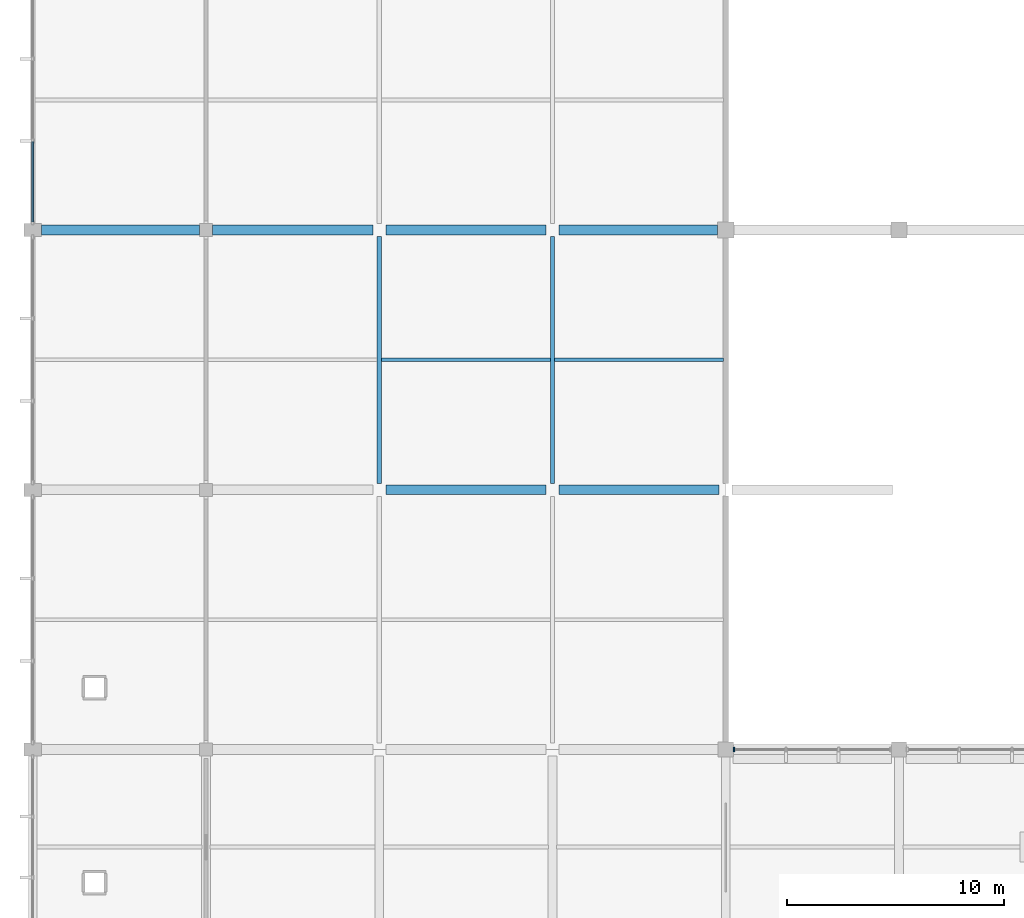
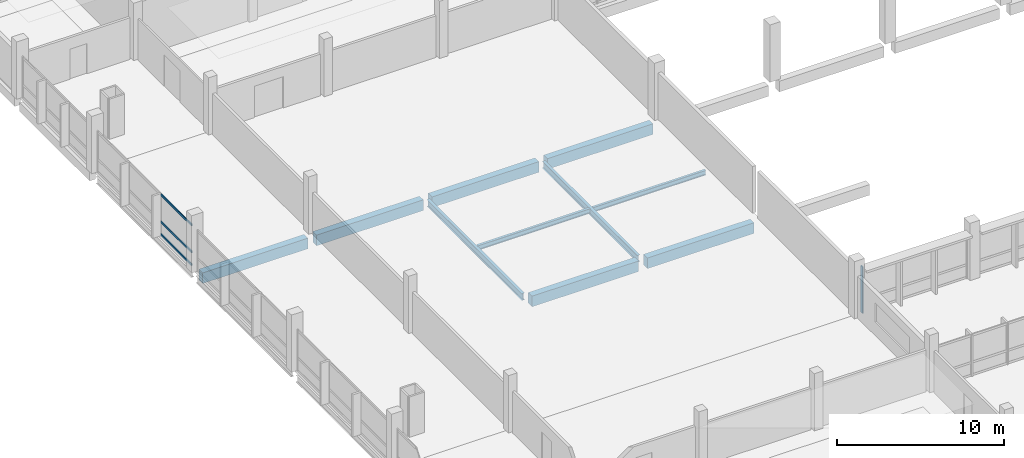
# One storey, part 8 of 70: 10 beams, 4 members, 2 elements without a shape of their own.
"""IFC4 building model written with IfcOpenShell, lengths in metres."""

from ifc_helpers import new_model, si_unit, direction, frame, origin, origin_2d, place, context, subcontext, project, spatial, rectangle, i_section, extrude, material, material_profile, profile_set, type_object, element, aggregate, save


model = new_model("IFC4")

# Units and contexts
model_context = context("Model", 3, precision=1e-05, world=origin(), true_north=direction((0.0, 1.0)))
body_context = subcontext(model_context, "Body", "Model", "MODEL_VIEW")
ifc_project = project(units=[si_unit("LENGTHUNIT", "METRE"), si_unit("AREAUNIT", "SQUARE_METRE"), si_unit("VOLUMEUNIT", "CUBIC_METRE"), si_unit("PLANEANGLEUNIT", "RADIAN"), si_unit("MASSUNIT", "GRAM", prefix="KILO"), si_unit("THERMODYNAMICTEMPERATUREUNIT", "KELVIN"), si_unit("POWERUNIT", "WATT")], contexts=[model_context])

# Site, building, storey
site_placement = place(None, origin())
site = spatial("IfcSite", under=ifc_project, at=site_placement, CompositionType="ELEMENT")
building_placement = place(site_placement, origin())
building = spatial("IfcBuilding", under=site, at=building_placement, Name="Kronsvod Quay Wholesale Market", CompositionType="ELEMENT")
storey_placement = place(building_placement, frame((0.0, 0.0, 9.0)))
storey = spatial("IfcBuildingStorey", under=building, at=storey_placement, Name="L02", CompositionType="ELEMENT", Elevation=9.0)

# Beams
ifc_material_1 = material(Name="Precast concrete C40/50", Category="concrete")
ifc_material_profile_1 = material_profile(ifc_material_1, rectangle(XDim=0.4599609375, YDim=0.780029296875, at=origin_2d()), Name="PB-03")
ifc_profile_set_1 = profile_set([ifc_material_profile_1], Name="Precast concrete C40/50")
beam_type_1 = type_object("IfcBeamType", Name="Beam_PCB460x780", PredefinedType="BEAM", material=ifc_profile_set_1)
for number, where, z_axis, x_axis, name in (
    (1, (16.300048828125, 66.0, -0.699951171875), (1.0, 0.0, 0.0), (0.0, 1.0, 0.0), "BMX-L02-160-660"),
    (2, (24.300048828125, 66.0, -0.699951171875), (1.0, 0.0, 0.0), (0.0, 1.0, 0.0), "BMX-L02-240-660"),
):
    element("IfcBeam", number, at=place(storey_placement, frame(where, z_axis=z_axis, x_axis=x_axis)), inside=storey, type_object=beam_type_1, Name=name, PredefinedType="BEAM", context=body_context, shape_type="SweptSolid", body=[
        extrude(rectangle(XDim=0.4599609375, YDim=0.780029296875, at=origin_2d()), origin(), (0.0, 0.0, 1.0), 7.39990234375),
    ])
beam_1_placement = place(storey_placement, frame((0.39990234375, 78.0, -0.699951171875), z_axis=(1.0, 0.0, 0.0), x_axis=(0.0, 1.0, 0.0)))
element("IfcBeam", 3, at=beam_1_placement, inside=storey, type_object=beam_type_1, Name="BMX-L02-0-780", PredefinedType="BEAM", context=body_context, shape_type="SweptSolid", body=[
    extrude(rectangle(XDim=0.4599609375, YDim=0.780029296875, at=origin_2d()), origin(), (0.0, 0.0, 1.0), 7.300048828125),
])
for number, where, z_axis, x_axis, name in (
    (4, (8.300048828125, 78.0, -0.699951171875), (1.0, 0.0, 0.0), (0.0, 1.0, 0.0), "BMX-L02-80-780"),
    (5, (16.300048828125, 78.0, -0.699951171875), (1.0, 0.0, 0.0), (0.0, 1.0, 0.0), "BMX-L02-160-780"),
):
    element("IfcBeam", number, at=place(storey_placement, frame(where, z_axis=z_axis, x_axis=x_axis)), inside=storey, type_object=beam_type_1, Name=name, PredefinedType="BEAM", context=body_context, shape_type="SweptSolid", body=[
        extrude(rectangle(XDim=0.4599609375, YDim=0.780029296875, at=origin_2d()), origin(), (0.0, 0.0, 1.0), 7.39990234375),
    ])
beam_2_placement = place(storey_placement, frame((24.300048828125, 78.0, -0.699951171875), z_axis=(1.0, 0.0, 0.0), x_axis=(0.0, 1.0, 0.0)))
element("IfcBeam", 6, at=beam_2_placement, inside=storey, type_object=beam_type_1, Name="BMX-L02-240-780", PredefinedType="BEAM", context=body_context, shape_type="SweptSolid", body=[
    extrude(rectangle(XDim=0.4599609375, YDim=0.780029296875, at=origin_2d()), origin(), (0.0, 0.0, 1.0), 7.324951171875),
])
ifc_material_2 = material(Name="Steel S355", Category="steel")
ifc_material_profile_2 = material_profile(ifc_material_2, i_section(OverallWidth=0.198974609375, OverallDepth=0.49609375, WebThickness=0.009033203125, FlangeThickness=0.013916015625, FilletRadius=0.02001953125, at=origin_2d()), Name="50B1")
ifc_profile_set_2 = profile_set([ifc_material_profile_2], Name="Steel S355")
beam_type_2 = type_object("IfcBeamType", Name="Girder_Steel50B1", PredefinedType="T_BEAM", material=ifc_profile_set_2)
for number, where, z_axis, x_axis, name in (
    (7, (16.0, 66.300048828125, -0.55810546875), (0.0, 1.0, 0.0), (-1.0, 0.0, 0.0), "BMY-L02-160-660"),
    (8, (24.0, 66.300048828125, -0.55810546875), (0.0, 1.0, 0.0), (-1.0, 0.0, 0.0), "BMY-L02-240-660"),
):
    element("IfcBeam", number, at=place(storey_placement, frame(where, z_axis=z_axis, x_axis=x_axis)), inside=storey, type_object=beam_type_2, Name=name, PredefinedType="T_BEAM", context=body_context, shape_type="SweptSolid", body=[
        extrude(i_section(OverallWidth=0.198974609375, OverallDepth=0.49609375, WebThickness=0.009033203125, FlangeThickness=0.013916015625, FilletRadius=0.02001953125, at=origin_2d()), origin(), (0.0, 0.0, 1.0), 11.39990234375),
    ])
ifc_material_3 = material(Name="Steel S355", Category="steel")
ifc_material_profile_3 = material_profile(ifc_material_3, i_section(OverallWidth=0.174072265625, OverallDepth=0.345947265625, WebThickness=0.006103515625, FlangeThickness=0.009033203125, FilletRadius=0.013916015625, at=origin_2d()), Name="35B1")
ifc_profile_set_3 = profile_set([ifc_material_profile_3], Name="Steel S355")
beam_type_3 = type_object("IfcBeamType", Name="Joist_Steel35B1", PredefinedType="JOIST", material=ifc_profile_set_3)
for number, where, z_axis, x_axis, name in (
    (9, (16.094482421875, 72.0, -0.443115234375), (1.0, 0.0, 0.0), (0.0, 1.0, 0.0), "JSTX-L02-160-660"),
    (10, (24.094482421875, 72.0, -0.443115234375), (1.0, 0.0, 0.0), (0.0, 1.0, 0.0), "JSTX-L02-240-660"),
):
    element("IfcBeam", number, at=place(storey_placement, frame(where, z_axis=z_axis, x_axis=x_axis)), inside=storey, type_object=beam_type_3, Name=name, PredefinedType="JOIST", context=body_context, shape_type="SweptSolid", body=[
        extrude(i_section(OverallWidth=0.174072265625, OverallDepth=0.345947265625, WebThickness=0.006103515625, FlangeThickness=0.009033203125, FilletRadius=0.013916015625, at=origin_2d()), origin(), (0.0, 0.0, 1.0), 7.81103515625),
    ])

# Curtain wall, member
ifc_material_4 = material(Name="Thermally broken aluminium and triple low-E glazing", Category="aluminium")
curtain_wall_type_1 = type_object("IfcCurtainWallType", Name="CW_Clerestory80x32", PredefinedType="NOTDEFINED", material=ifc_material_4)
curtain_wall_1_placement = place(storey_placement, origin())
curtain_wall_1 = element("IfcCurtainWall", 11, at=curtain_wall_1_placement, inside=storey, type_object=curtain_wall_type_1, Name="CWGX-L02-320-540", PredefinedType="NOTDEFINED")
ifc_material_5 = material(Name="Anodised aluminium", Category="aluminium")
ifc_material_profile_4 = material_profile(ifc_material_5, rectangle(XDim=0.074951171875, YDim=0.199951171875, at=origin_2d()), Name="ALUM75x200")
ifc_profile_set_4 = profile_set([ifc_material_profile_4], Name="Anodised aluminium")
member_type_1 = type_object("IfcMemberType", Name="Mullion_ALU75x200", PredefinedType="MULLION", material=ifc_profile_set_4)
member_1_placement = place(storey_placement, frame((32.382568359375, 54.0, 0.0), z_axis=(0.0, 0.0, 1.0), x_axis=(1.0, 0.0, 0.0)))
member_1 = element("IfcMember", 12, at=member_1_placement, type_object=member_type_1, Name="CWGX-L02-320-540-M1", PredefinedType="MULLION", context=body_context, shape_type="SweptSolid", body=[
    extrude(rectangle(XDim=0.074951171875, YDim=0.199951171875, at=origin_2d()), origin(), (0.0, 0.0, 1.0), 3.419921875),
])
aggregate(curtain_wall_1, [member_1])

# Curtain wall, members
ifc_material_6 = material(Name="Thermally broken aluminium and triple low-E glazing", Category="aluminium")
curtain_wall_type_2 = type_object("IfcCurtainWallType", Name="CW_WestLab90x37", PredefinedType="NOTDEFINED", material=ifc_material_6)
curtain_wall_2_placement = place(storey_placement, origin())
curtain_wall_2 = element("IfcCurtainWall", 13, at=curtain_wall_2_placement, inside=storey, type_object=curtain_wall_type_2, Name="CWGY-L02-0-780", PredefinedType="NOTDEFINED")
ifc_material_7 = material(Name="Anodised aluminium", Category="aluminium")
ifc_material_profile_5 = material_profile(ifc_material_7, rectangle(XDim=0.074951171875, YDim=0.14990234375, at=origin_2d()), Name="ALUT75x150")
ifc_profile_set_5 = profile_set([ifc_material_profile_5], Name="Anodised aluminium")
member_type_2 = type_object("IfcMemberType", Name="Transom_ALU75x150", PredefinedType="USERDEFINED", material=ifc_profile_set_5)
member_2_placement = place(storey_placement, frame((0.0, 82.060791015625, 0.074951171875), z_axis=(0.0, -1.0, 0.0), x_axis=(1.0, 0.0, 0.0)))
member_2 = element("IfcMember", 14, at=member_2_placement, type_object=member_type_2, Name="CWGY-L02-0-780-T1B3", ObjectType="TRANSOM", PredefinedType="USERDEFINED", context=body_context, shape_type="SweptSolid", body=[
    extrude(rectangle(XDim=0.074951171875, YDim=0.14990234375, at=origin_2d()), origin(), (0.0, 0.0, 1.0), 3.690673828125),
])
member_3_placement = place(storey_placement, frame((0.0, 82.060791015625, 1.0), z_axis=(0.0, -1.0, 0.0), x_axis=(1.0, 0.0, 0.0)))
member_3 = element("IfcMember", 15, at=member_3_placement, type_object=member_type_2, Name="CWGY-L02-0-780-T2B3", ObjectType="TRANSOM", PredefinedType="USERDEFINED", context=body_context, shape_type="SweptSolid", body=[
    extrude(rectangle(XDim=0.074951171875, YDim=0.14990234375, at=origin_2d()), origin(), (0.0, 0.0, 1.0), 3.690673828125),
])
member_4_placement = place(storey_placement, frame((0.0, 82.060791015625, 2.97509765625), z_axis=(0.0, -1.0, 0.0), x_axis=(1.0, 0.0, 0.0)))
member_4 = element("IfcMember", 16, at=member_4_placement, type_object=member_type_2, Name="CWGY-L02-0-780-T3B3", ObjectType="TRANSOM", PredefinedType="USERDEFINED", context=body_context, shape_type="SweptSolid", body=[
    extrude(rectangle(XDim=0.074951171875, YDim=0.14990234375, at=origin_2d()), origin(), (0.0, 0.0, 1.0), 3.690673828125),
])
aggregate(curtain_wall_2, [member_2, member_3, member_4])

save(model, "model.ifc")
